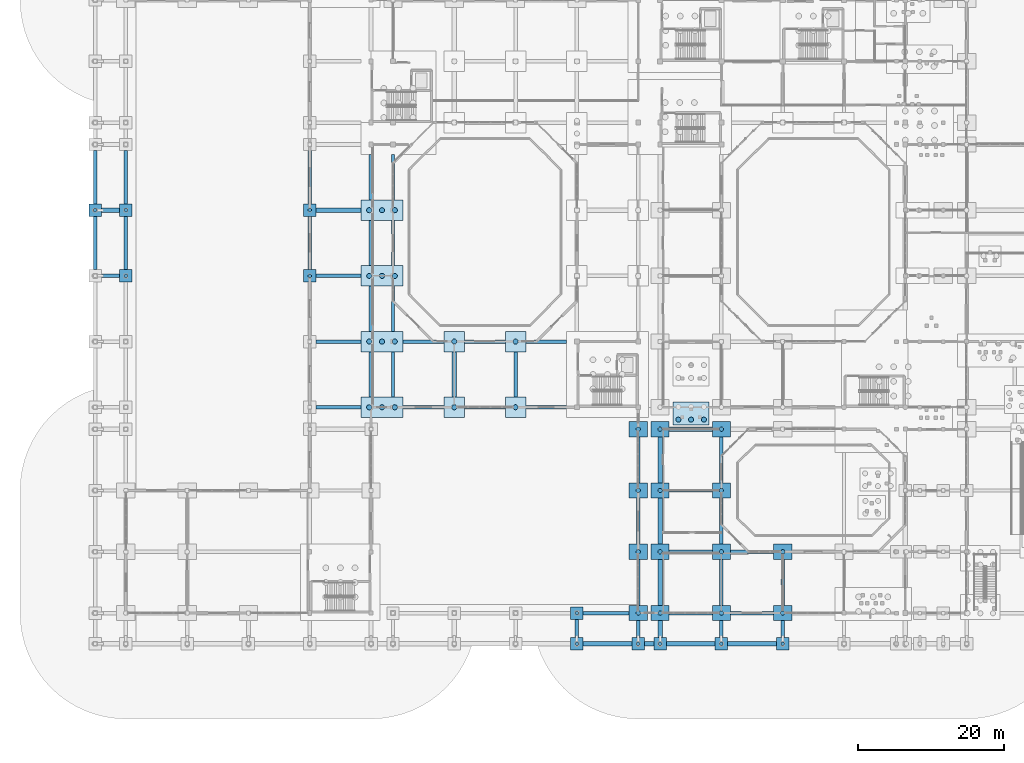
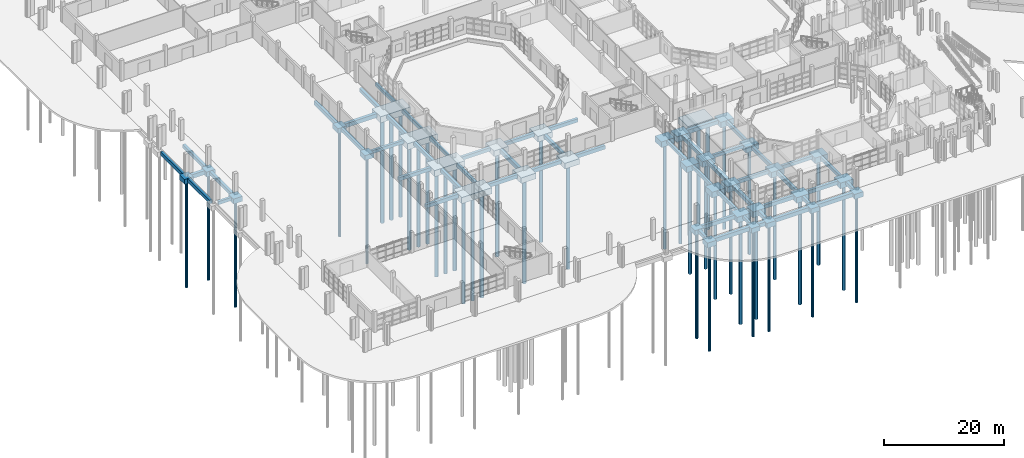
# One storey, part 2 of 88: 88 footings, 44 piles.
"""IFC4 building model written with IfcOpenShell, lengths in metres."""

from ifc_helpers import new_model, si_unit, direction, frame, origin, origin_2d, place, context, subcontext, project, spatial, rectangle, circle, extrude, material, material_profile, profile_set, type_object, element, save


model = new_model("IFC4")

# Units and contexts
model_context = context("Model", 3, precision=1e-05, world=origin(), true_north=direction((0.0, 1.0)))
body_context = subcontext(model_context, "Body", "Model", "MODEL_VIEW")
ifc_project = project(units=[si_unit("LENGTHUNIT", "METRE"), si_unit("AREAUNIT", "SQUARE_METRE"), si_unit("VOLUMEUNIT", "CUBIC_METRE"), si_unit("PLANEANGLEUNIT", "RADIAN"), si_unit("MASSUNIT", "GRAM", prefix="KILO")], contexts=[model_context])

# Site, building, storey
site_placement = place(None, origin())
site = spatial("IfcSite", under=ifc_project, at=site_placement, CompositionType="ELEMENT")
building_placement = place(site_placement, origin())
building = spatial("IfcBuilding", under=site, at=building_placement, Name="Vanh Quang Courtyard School", CompositionType="ELEMENT")
storey_placement = place(building_placement, origin())
storey = spatial("IfcBuildingStorey", under=building, at=storey_placement, Name="L00", CompositionType="ELEMENT", Elevation=0.0)

# Footings
ifc_material_1 = material(Name="Concrete C35/45", Category="concrete")
footing_type_1 = type_object("IfcFootingType", Name="FTG-GB-450x650", PredefinedType="FOOTING_BEAM", material=ifc_material_1)
footing_1_placement = place(storey_placement, frame((81.60009765625, 21.0, -1.050048828125), z_axis=(0.0, 0.0, 1.0), x_axis=(1.0, 0.0, 0.0)))
element("IfcFooting", 1, at=footing_1_placement, inside=storey, type_object=footing_type_1, Name="Footing GB-04 (L00)", PredefinedType="FOOTING_BEAM", context=body_context, shape_type="SweptSolid", body=[
    extrude(rectangle(XDim=5.89990234375, YDim=0.449951171875, at=origin_2d()), origin(), (0.0, 0.0, 1.0), 0.64990234375),
])
footing_2_placement = place(storey_placement, frame((2.10009765625, 50.39990234375, -1.050048828125), z_axis=(0.0, 0.0, 1.0), x_axis=(1.0, 0.0, 0.0)))
element("IfcFooting", 2, at=footing_2_placement, inside=storey, type_object=footing_type_1, Name="Footing GB-04 (L00)", PredefinedType="FOOTING_BEAM", context=body_context, shape_type="SweptSolid", body=[
    extrude(rectangle(XDim=2.5, YDim=0.449951171875, at=origin_2d()), origin(), (0.0, 0.0, 1.0), 0.64990234375),
])
footing_3_placement = place(storey_placement, frame((33.324951171875, 50.39990234375, -1.050048828125), z_axis=(0.0, 0.0, 1.0), x_axis=(1.0, 0.0, 0.0)))
element("IfcFooting", 3, at=footing_3_placement, inside=storey, type_object=footing_type_1, Name="Footing GB-04 (L00)", PredefinedType="FOOTING_BEAM", context=body_context, shape_type="SweptSolid", body=[
    extrude(rectangle(XDim=6.14990234375, YDim=0.449951171875, at=origin_2d()), origin(), (0.0, 0.0, 1.0), 0.64990234375),
])
for number, where, z_axis, x_axis, name in (
    (4, (40.800048828125, 36.89990234375, -1.050048828125), (0.0, 0.0, 1.0), (0.0, 1.0, 0.0), "Footing GB-04 (L00)"),
    (5, (40.800048828125, 45.89990234375, -1.050048828125), (0.0, 0.0, 1.0), (0.0, 1.0, 0.0), "Footing GB-04 (L00)"),
    (6, (40.800048828125, 54.89990234375, -1.050048828125), (0.0, 0.0, 1.0), (0.0, 1.0, 0.0), "Footing GB-04 (L00)"),
    (7, (40.800048828125, 63.89990234375, -1.050048828125), (0.0, 0.0, 1.0), (0.0, 1.0, 0.0), "Footing GB-04 (L00)"),
):
    element("IfcFooting", number, at=place(storey_placement, frame(where, z_axis=z_axis, x_axis=x_axis)), inside=storey, type_object=footing_type_1, Name=name, PredefinedType="FOOTING_BEAM", context=body_context, shape_type="SweptSolid", body=[
        extrude(rectangle(XDim=6.199951171875, YDim=0.449951171875, at=origin_2d()), origin(), (0.0, 0.0, 1.0), 0.64990234375),
    ])
footing_4_placement = place(storey_placement, frame((74.39990234375, 2.0, -1.050048828125), z_axis=(0.0, 0.0, 1.0), x_axis=(0.0, 1.0, 0.0)))
element("IfcFooting", 8, at=footing_4_placement, inside=storey, type_object=footing_type_1, Name="Footing GB-04 (L00)", PredefinedType="FOOTING_BEAM", context=body_context, shape_type="SweptSolid", body=[
    extrude(rectangle(XDim=2.300048828125, YDim=0.449951171875, at=origin_2d()), origin(), (0.0, 0.0, 1.0), 0.64990234375),
])
for number, where, z_axis, x_axis, name in (
    (9, (74.39990234375, 8.39990234375, -1.050048828125), (0.0, 0.0, 1.0), (0.0, 1.0, 0.0), "Footing GB-04 (L00)"),
    (10, (74.39990234375, 16.800048828125, -1.050048828125), (0.0, 0.0, 1.0), (0.0, 1.0, 0.0), "Footing GB-04 (L00)"),
    (11, (74.39990234375, 25.199951171875, -1.050048828125), (0.0, 0.0, 1.0), (0.0, 1.0, 0.0), "Footing GB-04 (L00)"),
):
    element("IfcFooting", number, at=place(storey_placement, frame(where, z_axis=z_axis, x_axis=x_axis)), inside=storey, type_object=footing_type_1, Name=name, PredefinedType="FOOTING_BEAM", context=body_context, shape_type="SweptSolid", body=[
        extrude(rectangle(XDim=6.300048828125, YDim=0.449951171875, at=origin_2d()), origin(), (0.0, 0.0, 1.0), 0.64990234375),
    ])
footing_type_2 = type_object("IfcFootingType", Name="FTG-GB-500x700", PredefinedType="FOOTING_BEAM", material=ifc_material_1)
for number, where, z_axis, x_axis, name in (
    (12, (81.60009765625, 12.60009765625, -1.10009765625), (0.0, 0.0, 1.0), (1.0, 0.0, 0.0), "Footing GB-03 (L00)"),
    (13, (90.0, 12.60009765625, -1.10009765625), (0.0, 0.0, 1.0), (1.0, 0.0, 0.0), "Footing GB-03 (L00)"),
):
    element("IfcFooting", number, at=place(storey_placement, frame(where, z_axis=z_axis, x_axis=x_axis)), inside=storey, type_object=footing_type_2, Name=name, PredefinedType="FOOTING_BEAM", context=body_context, shape_type="SweptSolid", body=[
        extrude(rectangle(XDim=5.89990234375, YDim=0.5, at=origin_2d()), origin(), (0.0, 0.0, 1.0), 0.699951171875),
    ])
footing_5_placement = place(storey_placement, frame((33.324951171875, 41.39990234375, -1.10009765625), z_axis=(0.0, 0.0, 1.0), x_axis=(1.0, 0.0, 0.0)))
element("IfcFooting", 14, at=footing_5_placement, inside=storey, type_object=footing_type_2, Name="Footing GB-03 (L00)", PredefinedType="FOOTING_BEAM", context=body_context, shape_type="SweptSolid", body=[
    extrude(rectangle(XDim=6.14990234375, YDim=0.5, at=origin_2d()), origin(), (0.0, 0.0, 1.0), 0.699951171875),
])
for number, where, z_axis, x_axis, name in (
    (15, (45.0, 41.39990234375, -1.10009765625), (0.0, 0.0, 1.0), (1.0, 0.0, 0.0), "Footing GB-03 (L00)"),
    (16, (53.39990234375, 41.39990234375, -1.10009765625), (0.0, 0.0, 1.0), (1.0, 0.0, 0.0), "Footing GB-03 (L00)"),
    (17, (61.800048828125, 41.39990234375, -1.10009765625), (0.0, 0.0, 1.0), (1.0, 0.0, 0.0), "Footing GB-03 (L00)"),
):
    element("IfcFooting", number, at=place(storey_placement, frame(where, z_axis=z_axis, x_axis=x_axis)), inside=storey, type_object=footing_type_2, Name=name, PredefinedType="FOOTING_BEAM", context=body_context, shape_type="SweptSolid", body=[
        extrude(rectangle(XDim=5.60009765625, YDim=0.5, at=origin_2d()), origin(), (0.0, 0.0, 1.0), 0.699951171875),
    ])
for number, where, z_axis, x_axis, name in (
    (18, (4.199951171875, 54.89990234375, -1.10009765625), (0.0, 0.0, 1.0), (0.0, 1.0, 0.0), "Footing GB-03 (L00)"),
    (19, (4.199951171875, 63.89990234375, -1.10009765625), (0.0, 0.0, 1.0), (0.0, 1.0, 0.0), "Footing GB-03 (L00)"),
):
    element("IfcFooting", number, at=place(storey_placement, frame(where, z_axis=z_axis, x_axis=x_axis)), inside=storey, type_object=footing_type_2, Name=name, PredefinedType="FOOTING_BEAM", context=body_context, shape_type="SweptSolid", body=[
        extrude(rectangle(XDim=7.300048828125, YDim=0.5, at=origin_2d()), origin(), (0.0, 0.0, 1.0), 0.699951171875),
    ])
for number, where, z_axis, x_axis, name in (
    (20, (37.800048828125, 36.89990234375, -1.10009765625), (0.0, 0.0, 1.0), (0.0, 1.0, 0.0), "Footing GB-03 (L00)"),
    (21, (37.800048828125, 45.89990234375, -1.10009765625), (0.0, 0.0, 1.0), (0.0, 1.0, 0.0), "Footing GB-03 (L00)"),
    (22, (37.800048828125, 54.89990234375, -1.10009765625), (0.0, 0.0, 1.0), (0.0, 1.0, 0.0), "Footing GB-03 (L00)"),
    (23, (37.800048828125, 63.89990234375, -1.10009765625), (0.0, 0.0, 1.0), (0.0, 1.0, 0.0), "Footing GB-03 (L00)"),
):
    element("IfcFooting", number, at=place(storey_placement, frame(where, z_axis=z_axis, x_axis=x_axis)), inside=storey, type_object=footing_type_2, Name=name, PredefinedType="FOOTING_BEAM", context=body_context, shape_type="SweptSolid", body=[
        extrude(rectangle(XDim=6.199951171875, YDim=0.5, at=origin_2d()), origin(), (0.0, 0.0, 1.0), 0.699951171875),
    ])
footing_6_placement = place(storey_placement, frame((66.0, 2.10009765625, -1.10009765625), z_axis=(0.0, 0.0, 1.0), x_axis=(0.0, 1.0, 0.0)))
element("IfcFooting", 24, at=footing_6_placement, inside=storey, type_object=footing_type_2, Name="Footing GB-03 (L00)", PredefinedType="FOOTING_BEAM", context=body_context, shape_type="SweptSolid", body=[
    extrude(rectangle(XDim=2.5, YDim=0.5, at=origin_2d()), origin(), (0.0, 0.0, 1.0), 0.699951171875),
])
footing_7_placement = place(storey_placement, frame((94.199951171875, 2.0, -1.10009765625), z_axis=(0.0, 0.0, 1.0), x_axis=(0.0, 1.0, 0.0)))
element("IfcFooting", 25, at=footing_7_placement, inside=storey, type_object=footing_type_2, Name="Footing GB-03 (L00)", PredefinedType="FOOTING_BEAM", context=body_context, shape_type="SweptSolid", body=[
    extrude(rectangle(XDim=2.300048828125, YDim=0.5, at=origin_2d()), origin(), (0.0, 0.0, 1.0), 0.699951171875),
])
footing_8_placement = place(storey_placement, frame((94.199951171875, 8.39990234375, -1.10009765625), z_axis=(0.0, 0.0, 1.0), x_axis=(0.0, 1.0, 0.0)))
element("IfcFooting", 26, at=footing_8_placement, inside=storey, type_object=footing_type_2, Name="Footing GB-03 (L00)", PredefinedType="FOOTING_BEAM", context=body_context, shape_type="SweptSolid", body=[
    extrude(rectangle(XDim=6.300048828125, YDim=0.5, at=origin_2d()), origin(), (0.0, 0.0, 1.0), 0.699951171875),
])
footing_type_3 = type_object("IfcFootingType", Name="FTG-GB-500x750", PredefinedType="FOOTING_BEAM", material=ifc_material_1)
footing_9_placement = place(storey_placement, frame((70.0, 4.199951171875, -1.14990234375), z_axis=(0.0, 0.0, 1.0), x_axis=(1.0, 0.0, 0.0)))
element("IfcFooting", 27, at=footing_9_placement, inside=storey, type_object=footing_type_3, Name="Footing GB-02 (L00)", PredefinedType="FOOTING_BEAM", context=body_context, shape_type="SweptSolid", body=[
    extrude(rectangle(XDim=6.300048828125, YDim=0.5, at=origin_2d()), origin(), (0.0, 0.0, 1.0), 0.75),
])
for number, where, z_axis, x_axis, name in (
    (28, (81.60009765625, 4.199951171875, -1.14990234375), (0.0, 0.0, 1.0), (1.0, 0.0, 0.0), "Footing GB-02 (L00)"),
    (29, (90.0, 4.199951171875, -1.14990234375), (0.0, 0.0, 1.0), (1.0, 0.0, 0.0), "Footing GB-02 (L00)"),
):
    element("IfcFooting", number, at=place(storey_placement, frame(where, z_axis=z_axis, x_axis=x_axis)), inside=storey, type_object=footing_type_3, Name=name, PredefinedType="FOOTING_BEAM", context=body_context, shape_type="SweptSolid", body=[
        extrude(rectangle(XDim=5.89990234375, YDim=0.5, at=origin_2d()), origin(), (0.0, 0.0, 1.0), 0.75),
    ])
footing_10_placement = place(storey_placement, frame((33.324951171875, 32.39990234375, -1.14990234375), z_axis=(0.0, 0.0, 1.0), x_axis=(1.0, 0.0, 0.0)))
element("IfcFooting", 30, at=footing_10_placement, inside=storey, type_object=footing_type_3, Name="Footing GB-02 (L00)", PredefinedType="FOOTING_BEAM", context=body_context, shape_type="SweptSolid", body=[
    extrude(rectangle(XDim=6.14990234375, YDim=0.5, at=origin_2d()), origin(), (0.0, 0.0, 1.0), 0.75),
])
for number, where, z_axis, x_axis, name in (
    (31, (45.0, 32.39990234375, -1.14990234375), (0.0, 0.0, 1.0), (1.0, 0.0, 0.0), "Footing GB-02 (L00)"),
    (32, (53.39990234375, 32.39990234375, -1.14990234375), (0.0, 0.0, 1.0), (1.0, 0.0, 0.0), "Footing GB-02 (L00)"),
    (33, (61.800048828125, 32.39990234375, -1.14990234375), (0.0, 0.0, 1.0), (1.0, 0.0, 0.0), "Footing GB-02 (L00)"),
):
    element("IfcFooting", number, at=place(storey_placement, frame(where, z_axis=z_axis, x_axis=x_axis)), inside=storey, type_object=footing_type_3, Name=name, PredefinedType="FOOTING_BEAM", context=body_context, shape_type="SweptSolid", body=[
        extrude(rectangle(XDim=5.60009765625, YDim=0.5, at=origin_2d()), origin(), (0.0, 0.0, 1.0), 0.75),
    ])
for number, where, z_axis, x_axis, name in (
    (34, (0.0, 54.89990234375, -1.14990234375), (0.0, 0.0, 1.0), (0.0, 1.0, 0.0), "Footing GB-02 (L00)"),
    (35, (0.0, 63.89990234375, -1.14990234375), (0.0, 0.0, 1.0), (0.0, 1.0, 0.0), "Footing GB-02 (L00)"),
    (36, (29.39990234375, 54.89990234375, -1.14990234375), (0.0, 0.0, 1.0), (0.0, 1.0, 0.0), "Footing GB-02 (L00)"),
    (37, (29.39990234375, 63.89990234375, -1.14990234375), (0.0, 0.0, 1.0), (0.0, 1.0, 0.0), "Footing GB-02 (L00)"),
):
    element("IfcFooting", number, at=place(storey_placement, frame(where, z_axis=z_axis, x_axis=x_axis)), inside=storey, type_object=footing_type_3, Name=name, PredefinedType="FOOTING_BEAM", context=body_context, shape_type="SweptSolid", body=[
        extrude(rectangle(XDim=7.300048828125, YDim=0.5, at=origin_2d()), origin(), (0.0, 0.0, 1.0), 0.75),
    ])
footing_11_placement = place(storey_placement, frame((57.60009765625, 36.89990234375, -1.14990234375), z_axis=(0.0, 0.0, 1.0), x_axis=(0.0, 1.0, 0.0)))
element("IfcFooting", 38, at=footing_11_placement, inside=storey, type_object=footing_type_3, Name="Footing GB-02 (L00)", PredefinedType="FOOTING_BEAM", context=body_context, shape_type="SweptSolid", body=[
    extrude(rectangle(XDim=6.199951171875, YDim=0.5, at=origin_2d()), origin(), (0.0, 0.0, 1.0), 0.75),
])
footing_12_placement = place(storey_placement, frame((85.800048828125, 2.0, -1.14990234375), z_axis=(0.0, 0.0, 1.0), x_axis=(0.0, 1.0, 0.0)))
element("IfcFooting", 39, at=footing_12_placement, inside=storey, type_object=footing_type_3, Name="Footing GB-02 (L00)", PredefinedType="FOOTING_BEAM", context=body_context, shape_type="SweptSolid", body=[
    extrude(rectangle(XDim=2.300048828125, YDim=0.5, at=origin_2d()), origin(), (0.0, 0.0, 1.0), 0.75),
])
for number, where, z_axis, x_axis, name in (
    (40, (85.800048828125, 8.39990234375, -1.14990234375), (0.0, 0.0, 1.0), (0.0, 1.0, 0.0), "Footing GB-02 (L00)"),
    (41, (85.800048828125, 16.800048828125, -1.14990234375), (0.0, 0.0, 1.0), (0.0, 1.0, 0.0), "Footing GB-02 (L00)"),
    (42, (85.800048828125, 25.199951171875, -1.14990234375), (0.0, 0.0, 1.0), (0.0, 1.0, 0.0), "Footing GB-02 (L00)"),
):
    element("IfcFooting", number, at=place(storey_placement, frame(where, z_axis=z_axis, x_axis=x_axis)), inside=storey, type_object=footing_type_3, Name=name, PredefinedType="FOOTING_BEAM", context=body_context, shape_type="SweptSolid", body=[
        extrude(rectangle(XDim=6.300048828125, YDim=0.5, at=origin_2d()), origin(), (0.0, 0.0, 1.0), 0.75),
    ])
footing_type_4 = type_object("IfcFootingType", Name="FTG-GB-600x800", PredefinedType="FOOTING_BEAM", material=ifc_material_1)
footing_13_placement = place(storey_placement, frame((70.199951171875, 0.0, -1.2001953125), z_axis=(0.0, 0.0, 1.0), x_axis=(1.0, 0.0, 0.0)))
element("IfcFooting", 43, at=footing_13_placement, inside=storey, type_object=footing_type_4, Name="Footing GB-01 (L00)", PredefinedType="FOOTING_BEAM", context=body_context, shape_type="SweptSolid", body=[
    extrude(rectangle(XDim=6.699951171875, YDim=0.60009765625, at=origin_2d()), origin(), (0.0, 0.0, 1.0), 0.800048828125),
])
footing_14_placement = place(storey_placement, frame((75.89990234375, 0.0, -1.2001953125), z_axis=(0.0, 0.0, 1.0), x_axis=(1.0, 0.0, 0.0)))
element("IfcFooting", 44, at=footing_14_placement, inside=storey, type_object=footing_type_4, Name="Footing GB-01 (L00)", PredefinedType="FOOTING_BEAM", context=body_context, shape_type="SweptSolid", body=[
    extrude(rectangle(XDim=1.300048828125, YDim=0.60009765625, at=origin_2d()), origin(), (0.0, 0.0, 1.0), 0.800048828125),
])
for number, where, z_axis, x_axis, name in (
    (45, (81.60009765625, 0.0, -1.2001953125), (0.0, 0.0, 1.0), (1.0, 0.0, 0.0), "Footing GB-01 (L00)"),
    (46, (90.0, 0.0, -1.2001953125), (0.0, 0.0, 1.0), (1.0, 0.0, 0.0), "Footing GB-01 (L00)"),
):
    element("IfcFooting", number, at=place(storey_placement, frame(where, z_axis=z_axis, x_axis=x_axis)), inside=storey, type_object=footing_type_4, Name=name, PredefinedType="FOOTING_BEAM", context=body_context, shape_type="SweptSolid", body=[
        extrude(rectangle(XDim=6.699951171875, YDim=0.60009765625, at=origin_2d()), origin(), (0.0, 0.0, 1.0), 0.800048828125),
    ])
footing_15_placement = place(storey_placement, frame((81.60009765625, 29.39990234375, -1.2001953125), z_axis=(0.0, 0.0, 1.0), x_axis=(1.0, 0.0, 0.0)))
element("IfcFooting", 47, at=footing_15_placement, inside=storey, type_object=footing_type_4, Name="Footing GB-01 (L00)", PredefinedType="FOOTING_BEAM", context=body_context, shape_type="SweptSolid", body=[
    extrude(rectangle(XDim=5.89990234375, YDim=0.60009765625, at=origin_2d()), origin(), (0.0, 0.0, 1.0), 0.800048828125),
])
footing_16_placement = place(storey_placement, frame((2.10009765625, 59.39990234375, -1.2001953125), z_axis=(0.0, 0.0, 1.0), x_axis=(1.0, 0.0, 0.0)))
element("IfcFooting", 48, at=footing_16_placement, inside=storey, type_object=footing_type_4, Name="Footing GB-01 (L00)", PredefinedType="FOOTING_BEAM", context=body_context, shape_type="SweptSolid", body=[
    extrude(rectangle(XDim=2.5, YDim=0.60009765625, at=origin_2d()), origin(), (0.0, 0.0, 1.0), 0.800048828125),
])
footing_17_placement = place(storey_placement, frame((33.324951171875, 59.39990234375, -1.2001953125), z_axis=(0.0, 0.0, 1.0), x_axis=(1.0, 0.0, 0.0)))
element("IfcFooting", 49, at=footing_17_placement, inside=storey, type_object=footing_type_4, Name="Footing GB-01 (L00)", PredefinedType="FOOTING_BEAM", context=body_context, shape_type="SweptSolid", body=[
    extrude(rectangle(XDim=6.14990234375, YDim=0.60009765625, at=origin_2d()), origin(), (0.0, 0.0, 1.0), 0.800048828125),
])
footing_18_placement = place(storey_placement, frame((49.199951171875, 36.89990234375, -1.2001953125), z_axis=(0.0, 0.0, 1.0), x_axis=(0.0, 1.0, 0.0)))
element("IfcFooting", 50, at=footing_18_placement, inside=storey, type_object=footing_type_4, Name="Footing GB-01 (L00)", PredefinedType="FOOTING_BEAM", context=body_context, shape_type="SweptSolid", body=[
    extrude(rectangle(XDim=6.199951171875, YDim=0.60009765625, at=origin_2d()), origin(), (0.0, 0.0, 1.0), 0.800048828125),
])
footing_19_placement = place(storey_placement, frame((77.39990234375, 2.0, -1.2001953125), z_axis=(0.0, 0.0, 1.0), x_axis=(0.0, 1.0, 0.0)))
element("IfcFooting", 51, at=footing_19_placement, inside=storey, type_object=footing_type_4, Name="Footing GB-01 (L00)", PredefinedType="FOOTING_BEAM", context=body_context, shape_type="SweptSolid", body=[
    extrude(rectangle(XDim=2.300048828125, YDim=0.60009765625, at=origin_2d()), origin(), (0.0, 0.0, 1.0), 0.800048828125),
])
for number, where, z_axis, x_axis, name in (
    (52, (77.39990234375, 8.39990234375, -1.2001953125), (0.0, 0.0, 1.0), (0.0, 1.0, 0.0), "Footing GB-01 (L00)"),
    (53, (77.39990234375, 16.800048828125, -1.2001953125), (0.0, 0.0, 1.0), (0.0, 1.0, 0.0), "Footing GB-01 (L00)"),
    (54, (77.39990234375, 25.199951171875, -1.2001953125), (0.0, 0.0, 1.0), (0.0, 1.0, 0.0), "Footing GB-01 (L00)"),
):
    element("IfcFooting", number, at=place(storey_placement, frame(where, z_axis=z_axis, x_axis=x_axis)), inside=storey, type_object=footing_type_4, Name=name, PredefinedType="FOOTING_BEAM", context=body_context, shape_type="SweptSolid", body=[
        extrude(rectangle(XDim=6.300048828125, YDim=0.60009765625, at=origin_2d()), origin(), (0.0, 0.0, 1.0), 0.800048828125),
    ])
footing_type_5 = type_object("IfcFootingType", Name="FTG-PC-01", PredefinedType="PILE_CAP", material=ifc_material_1)
for number, where, z_axis, x_axis, name in (
    (55, (66.0, 0.0, -1.39990234375), (0.0, 0.0, 1.0), (1.0, 0.0, 0.0), "Footing PC-01 (L00)"),
    (56, (74.39990234375, 0.0, -1.39990234375), (0.0, 0.0, 1.0), (1.0, 0.0, 0.0), "Footing PC-01 (L00)"),
    (57, (77.39990234375, 0.0, -1.39990234375), (0.0, 0.0, 1.0), (1.0, 0.0, 0.0), "Footing PC-01 (L00)"),
    (58, (85.800048828125, 0.0, -1.39990234375), (0.0, 0.0, 1.0), (1.0, 0.0, 0.0), "Footing PC-01 (L00)"),
    (59, (94.199951171875, 0.0, -1.39990234375), (0.0, 0.0, 1.0), (1.0, 0.0, 0.0), "Footing PC-01 (L00)"),
    (60, (66.0, 4.199951171875, -1.39990234375), (0.0, 0.0, 1.0), (1.0, 0.0, 0.0), "Footing PC-01 (L00)"),
    (61, (4.199951171875, 50.39990234375, -1.39990234375), (0.0, 0.0, 1.0), (1.0, 0.0, 0.0), "Footing PC-01 (L00)"),
    (62, (29.39990234375, 50.39990234375, -1.39990234375), (0.0, 0.0, 1.0), (1.0, 0.0, 0.0), "Footing PC-01 (L00)"),
    (63, (0.0, 59.39990234375, -1.39990234375), (0.0, 0.0, 1.0), (1.0, 0.0, 0.0), "Footing PC-01 (L00)"),
    (64, (4.199951171875, 59.39990234375, -1.39990234375), (0.0, 0.0, 1.0), (1.0, 0.0, 0.0), "Footing PC-01 (L00)"),
    (65, (29.39990234375, 59.39990234375, -1.39990234375), (0.0, 0.0, 1.0), (1.0, 0.0, 0.0), "Footing PC-01 (L00)"),
):
    element("IfcFooting", number, at=place(storey_placement, frame(where, z_axis=z_axis, x_axis=x_axis)), inside=storey, type_object=footing_type_5, Name=name, PredefinedType="PILE_CAP", context=body_context, shape_type="SweptSolid", body=[
        extrude(rectangle(XDim=1.699951171875, YDim=1.699951171875, at=origin_2d()), origin(), (0.0, 0.0, 1.0), 1.0),
    ])
footing_type_6 = type_object("IfcFootingType", Name="FTG-PC-03", PredefinedType="PILE_CAP", material=ifc_material_1)
for number, where, z_axis, x_axis, name in (
    (66, (74.39990234375, 4.199951171875, -1.550048828125), (0.0, 0.0, 1.0), (1.0, 0.0, 0.0), "Footing PC-03 (L00)"),
    (67, (77.39990234375, 4.199951171875, -1.550048828125), (0.0, 0.0, 1.0), (1.0, 0.0, 0.0), "Footing PC-03 (L00)"),
    (68, (85.800048828125, 4.199951171875, -1.550048828125), (0.0, 0.0, 1.0), (1.0, 0.0, 0.0), "Footing PC-03 (L00)"),
    (69, (94.199951171875, 4.199951171875, -1.550048828125), (0.0, 0.0, 1.0), (1.0, 0.0, 0.0), "Footing PC-03 (L00)"),
    (70, (74.39990234375, 12.60009765625, -1.550048828125), (0.0, 0.0, 1.0), (1.0, 0.0, 0.0), "Footing PC-03 (L00)"),
    (71, (77.39990234375, 12.60009765625, -1.550048828125), (0.0, 0.0, 1.0), (1.0, 0.0, 0.0), "Footing PC-03 (L00)"),
    (72, (85.800048828125, 12.60009765625, -1.550048828125), (0.0, 0.0, 1.0), (1.0, 0.0, 0.0), "Footing PC-03 (L00)"),
    (73, (94.199951171875, 12.60009765625, -1.550048828125), (0.0, 0.0, 1.0), (1.0, 0.0, 0.0), "Footing PC-03 (L00)"),
    (74, (74.39990234375, 21.0, -1.550048828125), (0.0, 0.0, 1.0), (1.0, 0.0, 0.0), "Footing PC-03 (L00)"),
    (75, (77.39990234375, 21.0, -1.550048828125), (0.0, 0.0, 1.0), (1.0, 0.0, 0.0), "Footing PC-03 (L00)"),
    (76, (85.800048828125, 21.0, -1.550048828125), (0.0, 0.0, 1.0), (1.0, 0.0, 0.0), "Footing PC-03 (L00)"),
    (77, (74.39990234375, 29.39990234375, -1.550048828125), (0.0, 0.0, 1.0), (1.0, 0.0, 0.0), "Footing PC-03 (L00)"),
    (78, (77.39990234375, 29.39990234375, -1.550048828125), (0.0, 0.0, 1.0), (1.0, 0.0, 0.0), "Footing PC-03 (L00)"),
    (79, (85.800048828125, 29.39990234375, -1.550048828125), (0.0, 0.0, 1.0), (1.0, 0.0, 0.0), "Footing PC-03 (L00)"),
):
    element("IfcFooting", number, at=place(storey_placement, frame(where, z_axis=z_axis, x_axis=x_axis)), inside=storey, type_object=footing_type_6, Name=name, PredefinedType="PILE_CAP", context=body_context, shape_type="SweptSolid", body=[
        extrude(rectangle(XDim=2.5, YDim=2.10009765625, at=origin_2d()), origin(), (0.0, 0.0, 1.0), 1.14990234375),
    ])
footing_type_7 = type_object("IfcFootingType", Name="FTG-PC-10", PredefinedType="PILE_CAP", material=ifc_material_1)
footing_20_placement = place(storey_placement, frame((81.64990234375, 31.574951171875, -1.64990234375), z_axis=(0.0, 0.0, 1.0), x_axis=(1.0, 0.0, 0.0)))
element("IfcFooting", 80, at=footing_20_placement, inside=storey, type_object=footing_type_7, Name="Footing PC-10 (L00)", PredefinedType="PILE_CAP", context=body_context, shape_type="SweptSolid", body=[
    extrude(rectangle(XDim=4.89990234375, YDim=3.14990234375, at=origin_2d()), origin(), (0.0, 0.0, 1.0), 1.25),
])
footing_type_8 = type_object("IfcFootingType", Name="FTG-PC-13", PredefinedType="PILE_CAP", material=ifc_material_1)
for number, where, z_axis, x_axis, name in (
    (81, (39.300048828125, 32.39990234375, -1.64990234375), (0.0, 0.0, 1.0), (1.0, 0.0, 0.0), "Footing PC-13 (L00)"),
    (82, (39.300048828125, 41.39990234375, -1.64990234375), (0.0, 0.0, 1.0), (1.0, 0.0, 0.0), "Footing PC-13 (L00)"),
    (83, (39.300048828125, 50.39990234375, -1.64990234375), (0.0, 0.0, 1.0), (1.0, 0.0, 0.0), "Footing PC-13 (L00)"),
    (84, (39.300048828125, 59.39990234375, -1.64990234375), (0.0, 0.0, 1.0), (1.0, 0.0, 0.0), "Footing PC-13 (L00)"),
):
    element("IfcFooting", number, at=place(storey_placement, frame(where, z_axis=z_axis, x_axis=x_axis)), inside=storey, type_object=footing_type_8, Name=name, PredefinedType="PILE_CAP", context=body_context, shape_type="SweptSolid", body=[
        extrude(rectangle(XDim=5.800048828125, YDim=2.800048828125, at=origin_2d()), origin(), (0.0, 0.0, 1.0), 1.25),
    ])
footing_type_9 = type_object("IfcFootingType", Name="FTG-PC-14", PredefinedType="PILE_CAP", material=ifc_material_1)
for number, where, z_axis, x_axis, name in (
    (85, (49.199951171875, 32.39990234375, -1.550048828125), (0.0, 0.0, 1.0), (1.0, 0.0, 0.0), "Footing PC-14 (L00)"),
    (86, (57.60009765625, 32.39990234375, -1.550048828125), (0.0, 0.0, 1.0), (1.0, 0.0, 0.0), "Footing PC-14 (L00)"),
    (87, (49.199951171875, 41.39990234375, -1.550048828125), (0.0, 0.0, 1.0), (1.0, 0.0, 0.0), "Footing PC-14 (L00)"),
    (88, (57.60009765625, 41.39990234375, -1.550048828125), (0.0, 0.0, 1.0), (1.0, 0.0, 0.0), "Footing PC-14 (L00)"),
):
    element("IfcFooting", number, at=place(storey_placement, frame(where, z_axis=z_axis, x_axis=x_axis)), inside=storey, type_object=footing_type_9, Name=name, PredefinedType="PILE_CAP", context=body_context, shape_type="SweptSolid", body=[
        extrude(rectangle(XDim=2.800048828125, YDim=2.800048828125, at=origin_2d()), origin(), (0.0, 0.0, 1.0), 1.14990234375),
    ])

# Piles
ifc_material_2 = material(Name="Concrete C30/37", Category="concrete")
ifc_material_profile_1 = material_profile(ifc_material_2, circle(Radius=0.25, at=origin_2d()), Name="PILE D500")
ifc_profile_set_1 = profile_set([ifc_material_profile_1], Name="Concrete C30/37")
pile_type_1 = type_object("IfcPileType", Name="PILE-BORED-500", PredefinedType="BORED", material=ifc_profile_set_1)
for number, where, z_axis, x_axis, name in (
    (89, (66.0, 0.0, -1.300048828125), (0.0, 0.0, -1.0), (1.0, 0.0, 0.0), "Bored Pile BP-01 (L00)"),
    (90, (74.39990234375, 0.0, -1.300048828125), (0.0, 0.0, -1.0), (1.0, 0.0, 0.0), "Bored Pile BP-01 (L00)"),
    (91, (77.39990234375, 0.0, -1.300048828125), (0.0, 0.0, -1.0), (1.0, 0.0, 0.0), "Bored Pile BP-01 (L00)"),
    (92, (85.800048828125, 0.0, -1.300048828125), (0.0, 0.0, -1.0), (1.0, 0.0, 0.0), "Bored Pile BP-01 (L00)"),
    (93, (94.199951171875, 0.0, -1.300048828125), (0.0, 0.0, -1.0), (1.0, 0.0, 0.0), "Bored Pile BP-01 (L00)"),
    (94, (66.0, 4.199951171875, -1.300048828125), (0.0, 0.0, -1.0), (1.0, 0.0, 0.0), "Bored Pile BP-01 (L00)"),
    (95, (4.199951171875, 50.39990234375, -1.300048828125), (0.0, 0.0, -1.0), (1.0, 0.0, 0.0), "Bored Pile BP-01 (L00)"),
    (96, (29.39990234375, 50.39990234375, -1.300048828125), (0.0, 0.0, -1.0), (1.0, 0.0, 0.0), "Bored Pile BP-01 (L00)"),
    (97, (0.0, 59.39990234375, -1.300048828125), (0.0, 0.0, -1.0), (1.0, 0.0, 0.0), "Bored Pile BP-01 (L00)"),
    (98, (4.199951171875, 59.39990234375, -1.300048828125), (0.0, 0.0, -1.0), (1.0, 0.0, 0.0), "Bored Pile BP-01 (L00)"),
    (99, (29.39990234375, 59.39990234375, -1.300048828125), (0.0, 0.0, -1.0), (1.0, 0.0, 0.0), "Bored Pile BP-01 (L00)"),
):
    element("IfcPile", number, at=place(storey_placement, frame(where, z_axis=z_axis, x_axis=x_axis)), inside=storey, type_object=pile_type_1, Name=name, PredefinedType="BORED", context=body_context, shape_type="SweptSolid", body=[
        extrude(circle(Radius=0.25, at=origin_2d()), origin(), (0.0, 0.0, 1.0), 21.699951171875),
    ])
ifc_material_profile_2 = material_profile(ifc_material_2, circle(Radius=0.300048828125, at=origin_2d()), Name="PILE D600")
ifc_profile_set_2 = profile_set([ifc_material_profile_2], Name="Concrete C30/37")
pile_type_2 = type_object("IfcPileType", Name="PILE-BORED-600", PredefinedType="BORED", material=ifc_profile_set_2)
for number, where, z_axis, x_axis, name in (
    (100, (74.39990234375, 4.199951171875, -1.449951171875), (0.0, 0.0, -1.0), (1.0, 0.0, 0.0), "Bored Pile BP-02 (L00)"),
    (101, (77.39990234375, 4.199951171875, -1.449951171875), (0.0, 0.0, -1.0), (1.0, 0.0, 0.0), "Bored Pile BP-02 (L00)"),
    (102, (85.800048828125, 4.199951171875, -1.449951171875), (0.0, 0.0, -1.0), (1.0, 0.0, 0.0), "Bored Pile BP-02 (L00)"),
    (103, (94.199951171875, 4.199951171875, -1.449951171875), (0.0, 0.0, -1.0), (1.0, 0.0, 0.0), "Bored Pile BP-02 (L00)"),
    (104, (74.39990234375, 12.60009765625, -1.449951171875), (0.0, 0.0, -1.0), (1.0, 0.0, 0.0), "Bored Pile BP-02 (L00)"),
    (105, (77.39990234375, 12.60009765625, -1.449951171875), (0.0, 0.0, -1.0), (1.0, 0.0, 0.0), "Bored Pile BP-02 (L00)"),
    (106, (85.800048828125, 12.60009765625, -1.449951171875), (0.0, 0.0, -1.0), (1.0, 0.0, 0.0), "Bored Pile BP-02 (L00)"),
    (107, (94.199951171875, 12.60009765625, -1.449951171875), (0.0, 0.0, -1.0), (1.0, 0.0, 0.0), "Bored Pile BP-02 (L00)"),
    (108, (74.39990234375, 21.0, -1.449951171875), (0.0, 0.0, -1.0), (1.0, 0.0, 0.0), "Bored Pile BP-02 (L00)"),
    (109, (77.39990234375, 21.0, -1.449951171875), (0.0, 0.0, -1.0), (1.0, 0.0, 0.0), "Bored Pile BP-02 (L00)"),
    (110, (85.800048828125, 21.0, -1.449951171875), (0.0, 0.0, -1.0), (1.0, 0.0, 0.0), "Bored Pile BP-02 (L00)"),
    (111, (74.39990234375, 29.39990234375, -1.449951171875), (0.0, 0.0, -1.0), (1.0, 0.0, 0.0), "Bored Pile BP-02 (L00)"),
    (112, (77.39990234375, 29.39990234375, -1.449951171875), (0.0, 0.0, -1.0), (1.0, 0.0, 0.0), "Bored Pile BP-02 (L00)"),
    (113, (85.800048828125, 29.39990234375, -1.449951171875), (0.0, 0.0, -1.0), (1.0, 0.0, 0.0), "Bored Pile BP-02 (L00)"),
):
    element("IfcPile", number, at=place(storey_placement, frame(where, z_axis=z_axis, x_axis=x_axis)), inside=storey, type_object=pile_type_2, Name=name, PredefinedType="BORED", context=body_context, shape_type="SweptSolid", body=[
        extrude(circle(Radius=0.300048828125, at=origin_2d()), origin(), (0.0, 0.0, 1.0), 21.550048828125),
    ])
ifc_material_profile_3 = material_profile(ifc_material_2, circle(Radius=0.35009765625, at=origin_2d()), Name="PILE D700")
ifc_profile_set_3 = profile_set([ifc_material_profile_3], Name="Concrete C30/37")
pile_type_3 = type_object("IfcPileType", Name="PILE-BORED-700", PredefinedType="BORED", material=ifc_profile_set_3)
for number, where, z_axis, x_axis, name in (
    (114, (79.89990234375, 30.699951171875, -1.550048828125), (0.0, 0.0, -1.0), (1.0, 0.0, 0.0), "Bored Pile BP-03 (L00)"),
    (115, (81.64990234375, 30.699951171875, -1.550048828125), (0.0, 0.0, -1.0), (1.0, 0.0, 0.0), "Bored Pile BP-03 (L00)"),
    (116, (83.39990234375, 30.699951171875, -1.550048828125), (0.0, 0.0, -1.0), (1.0, 0.0, 0.0), "Bored Pile BP-03 (L00)"),
    (117, (37.550048828125, 32.39990234375, -1.550048828125), (0.0, 0.0, -1.0), (1.0, 0.0, 0.0), "Bored Pile BP-03 (L00)"),
    (118, (39.300048828125, 32.39990234375, -1.550048828125), (0.0, 0.0, -1.0), (1.0, 0.0, 0.0), "Bored Pile BP-03 (L00)"),
    (119, (41.050048828125, 32.39990234375, -1.550048828125), (0.0, 0.0, -1.0), (1.0, 0.0, 0.0), "Bored Pile BP-03 (L00)"),
):
    element("IfcPile", number, at=place(storey_placement, frame(where, z_axis=z_axis, x_axis=x_axis)), inside=storey, type_object=pile_type_3, Name=name, PredefinedType="BORED", context=body_context, shape_type="SweptSolid", body=[
        extrude(circle(Radius=0.35009765625, at=origin_2d()), origin(), (0.0, 0.0, 1.0), 21.449951171875),
    ])
for number, where, z_axis, x_axis, name in (
    (120, (49.199951171875, 32.39990234375, -1.449951171875), (0.0, 0.0, -1.0), (1.0, 0.0, 0.0), "Bored Pile BP-03 (L00)"),
    (121, (57.60009765625, 32.39990234375, -1.449951171875), (0.0, 0.0, -1.0), (1.0, 0.0, 0.0), "Bored Pile BP-03 (L00)"),
):
    element("IfcPile", number, at=place(storey_placement, frame(where, z_axis=z_axis, x_axis=x_axis)), inside=storey, type_object=pile_type_3, Name=name, PredefinedType="BORED", context=body_context, shape_type="SweptSolid", body=[
        extrude(circle(Radius=0.35009765625, at=origin_2d()), origin(), (0.0, 0.0, 1.0), 21.550048828125),
    ])
for number, where, z_axis, x_axis, name in (
    (122, (37.550048828125, 41.39990234375, -1.550048828125), (0.0, 0.0, -1.0), (1.0, 0.0, 0.0), "Bored Pile BP-03 (L00)"),
    (123, (39.300048828125, 41.39990234375, -1.550048828125), (0.0, 0.0, -1.0), (1.0, 0.0, 0.0), "Bored Pile BP-03 (L00)"),
    (124, (41.050048828125, 41.39990234375, -1.550048828125), (0.0, 0.0, -1.0), (1.0, 0.0, 0.0), "Bored Pile BP-03 (L00)"),
):
    element("IfcPile", number, at=place(storey_placement, frame(where, z_axis=z_axis, x_axis=x_axis)), inside=storey, type_object=pile_type_3, Name=name, PredefinedType="BORED", context=body_context, shape_type="SweptSolid", body=[
        extrude(circle(Radius=0.35009765625, at=origin_2d()), origin(), (0.0, 0.0, 1.0), 21.449951171875),
    ])
for number, where, z_axis, x_axis, name in (
    (125, (49.199951171875, 41.39990234375, -1.449951171875), (0.0, 0.0, -1.0), (1.0, 0.0, 0.0), "Bored Pile BP-03 (L00)"),
    (126, (57.60009765625, 41.39990234375, -1.449951171875), (0.0, 0.0, -1.0), (1.0, 0.0, 0.0), "Bored Pile BP-03 (L00)"),
):
    element("IfcPile", number, at=place(storey_placement, frame(where, z_axis=z_axis, x_axis=x_axis)), inside=storey, type_object=pile_type_3, Name=name, PredefinedType="BORED", context=body_context, shape_type="SweptSolid", body=[
        extrude(circle(Radius=0.35009765625, at=origin_2d()), origin(), (0.0, 0.0, 1.0), 21.550048828125),
    ])
for number, where, z_axis, x_axis, name in (
    (127, (37.550048828125, 50.39990234375, -1.550048828125), (0.0, 0.0, -1.0), (1.0, 0.0, 0.0), "Bored Pile BP-03 (L00)"),
    (128, (39.300048828125, 50.39990234375, -1.550048828125), (0.0, 0.0, -1.0), (1.0, 0.0, 0.0), "Bored Pile BP-03 (L00)"),
    (129, (41.050048828125, 50.39990234375, -1.550048828125), (0.0, 0.0, -1.0), (1.0, 0.0, 0.0), "Bored Pile BP-03 (L00)"),
    (130, (37.550048828125, 59.39990234375, -1.550048828125), (0.0, 0.0, -1.0), (1.0, 0.0, 0.0), "Bored Pile BP-03 (L00)"),
    (131, (39.300048828125, 59.39990234375, -1.550048828125), (0.0, 0.0, -1.0), (1.0, 0.0, 0.0), "Bored Pile BP-03 (L00)"),
    (132, (41.050048828125, 59.39990234375, -1.550048828125), (0.0, 0.0, -1.0), (1.0, 0.0, 0.0), "Bored Pile BP-03 (L00)"),
):
    element("IfcPile", number, at=place(storey_placement, frame(where, z_axis=z_axis, x_axis=x_axis)), inside=storey, type_object=pile_type_3, Name=name, PredefinedType="BORED", context=body_context, shape_type="SweptSolid", body=[
        extrude(circle(Radius=0.35009765625, at=origin_2d()), origin(), (0.0, 0.0, 1.0), 21.449951171875),
    ])

save(model, "model.ifc")
